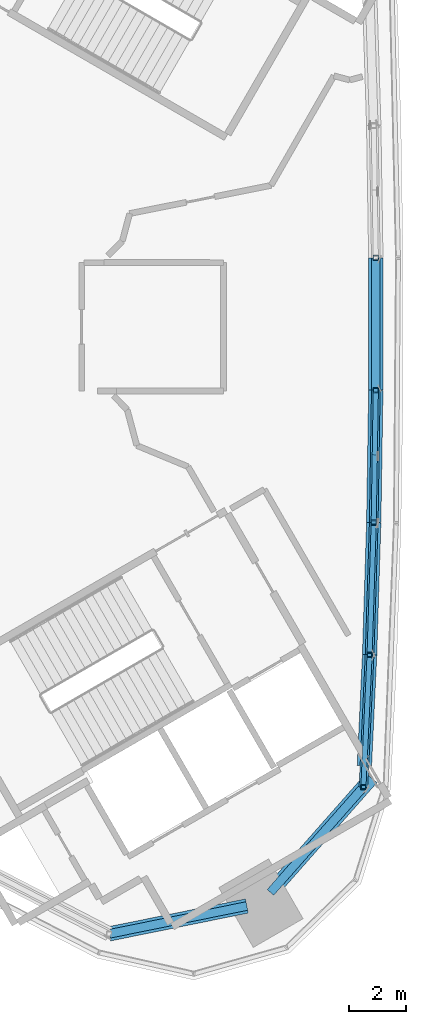
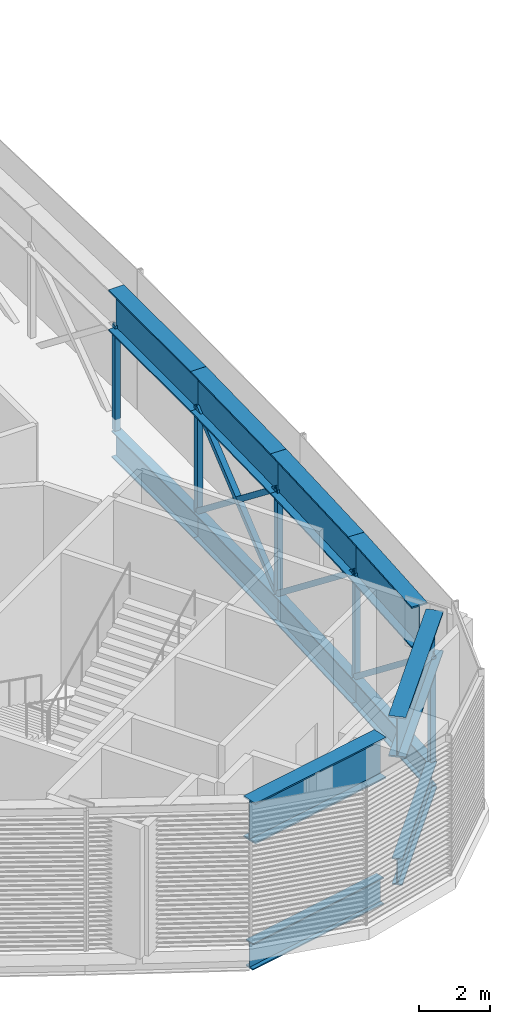
# One storey, part 5 of 21: 12 beams, 10 members.
"""IFC4 building model written with IfcOpenShell, lengths in metres."""

from ifc_helpers import new_model, si_unit, direction, frame, origin, origin_2d, place, context, subcontext, project, spatial, hollow_rectangle, i_section, extrude, material, material_profile, profile_set, type_object, element, save


model = new_model("IFC4")

# Units and contexts
model_context = context("Model", 3, precision=1e-05, world=origin(), true_north=direction((0.0, 1.0)))
body_context = subcontext(model_context, "Body", "Model", "MODEL_VIEW")
ifc_project = project(units=[si_unit("LENGTHUNIT", "METRE"), si_unit("AREAUNIT", "SQUARE_METRE"), si_unit("VOLUMEUNIT", "CUBIC_METRE"), si_unit("PLANEANGLEUNIT", "RADIAN"), si_unit("MASSUNIT", "GRAM", prefix="KILO")], contexts=[model_context])

# Site, building, storey
site_placement = place(None, origin())
site = spatial("IfcSite", under=ifc_project, at=site_placement, CompositionType="ELEMENT")
building_placement = place(site_placement, origin())
building = spatial("IfcBuilding", under=site, at=building_placement, Name="Tamra Quay Hotel Tower", CompositionType="ELEMENT")
storey_placement = place(building_placement, frame((0.0, 0.0, 301.800048828125)))
storey = spatial("IfcBuildingStorey", under=building, at=storey_placement, Name="L76", CompositionType="ELEMENT", Elevation=301.800048828125)

# Members
ifc_material = material(Name="Structural steel IS 2062 E350", Category="steel")
ifc_material_profile_1 = material_profile(ifc_material, hollow_rectangle(XDim=0.179931640625, YDim=0.179931640625, WallThickness=0.008056640625, at=origin_2d()), Name="SHS 180x180x8")
ifc_profile_set_1 = profile_set([ifc_material_profile_1], Name="Structural steel IS 2062 E350")
member_type = type_object("IfcMemberType", Name="BELT BRACE SHS 180x180x8 Z6", PredefinedType="BRACE", material=ifc_profile_set_1)
member_1_placement = place(storey_placement, frame((15.202392578125, -16.116943359375, -0.400146484375), z_axis=(0.0, 0.0, 1.0), x_axis=(1.0, 0.0, 0.0)))
element("IfcMember", 1, at=member_1_placement, inside=storey, type_object=member_type, Name="BR-L76-000", PredefinedType="BRACE", context=body_context, shape_type="SweptSolid", body=[
    extrude(hollow_rectangle(XDim=0.179931640625, YDim=0.179931640625, WallThickness=0.008056640625, at=origin_2d()), origin(), (0.0, 0.0, 1.0), 3.60009765625),
])
member_2_placement = place(storey_placement, frame((15.418212890625, -11.51513671875, -0.400146484375), z_axis=(-0.036913181228, -0.787077548606, 0.615748609037), x_axis=(0.998902050925, -0.04684754698, 0.0)))
element("IfcMember", 2, at=member_2_placement, inside=storey, type_object=member_type, Name="BR-L76-001", PredefinedType="BRACE", context=body_context, shape_type="SweptSolid", body=[
    extrude(hollow_rectangle(XDim=0.179931640625, YDim=0.179931640625, WallThickness=0.008056640625, at=origin_2d()), origin(), (0.0, 0.0, 1.0), 5.8466796875),
])
member_3_placement = place(storey_placement, frame((15.418212890625, -11.51513671875, -0.400146484375), z_axis=(0.0, 0.0, 1.0), x_axis=(1.0, 0.0, 0.0)))
element("IfcMember", 3, at=member_3_placement, inside=storey, type_object=member_type, Name="BR-L76-002", PredefinedType="BRACE", context=body_context, shape_type="SweptSolid", body=[
    extrude(hollow_rectangle(XDim=0.179931640625, YDim=0.179931640625, WallThickness=0.008056640625, at=origin_2d()), origin(), (0.0, 0.0, 1.0), 3.60009765625),
])
member_4_placement = place(storey_placement, frame((15.56201171875, -6.909912109375, -0.400146484375), z_axis=(-0.024592865307, -0.787597993697, 0.615698458095), x_axis=(0.999512851213, -0.03120993847, 0.0)))
element("IfcMember", 4, at=member_4_placement, inside=storey, type_object=member_type, Name="BR-L76-003", PredefinedType="BRACE", context=body_context, shape_type="SweptSolid", body=[
    extrude(hollow_rectangle(XDim=0.179931640625, YDim=0.179931640625, WallThickness=0.008056640625, at=origin_2d()), origin(), (0.0, 0.0, 1.0), 5.84716796875),
])
member_5_placement = place(storey_placement, frame((15.56201171875, -6.909912109375, -0.400146484375), z_axis=(0.0, 0.0, 1.0), x_axis=(1.0, 0.0, 0.0)))
element("IfcMember", 5, at=member_5_placement, inside=storey, type_object=member_type, Name="BR-L76-004", PredefinedType="BRACE", context=body_context, shape_type="SweptSolid", body=[
    extrude(hollow_rectangle(XDim=0.179931640625, YDim=0.179931640625, WallThickness=0.008056640625, at=origin_2d()), origin(), (0.0, 0.0, 1.0), 3.60009765625),
])
member_6_placement = place(storey_placement, frame((15.56201171875, -6.909912109375, -0.400146484375), z_axis=(0.012318074418, 0.78785568857, 0.615736696187), x_axis=(-0.999877796769, 0.01563302682, 0.0)))
element("IfcMember", 6, at=member_6_placement, inside=storey, type_object=member_type, Name="BR-L76-005", PredefinedType="BRACE", context=body_context, shape_type="SweptSolid", body=[
    extrude(hollow_rectangle(XDim=0.179931640625, YDim=0.179931640625, WallThickness=0.008056640625, at=origin_2d()), origin(), (0.0, 0.0, 1.0), 5.846923828125),
])
for number, where, z_axis, x_axis, name in (
    (7, (15.634033203125, -2.303466796875, -0.400146484375), (-0.012276324538, -0.787856093121, 0.615737012358), (0.999878623711, -0.015580046394, 0.0), "BR-L76-006"),
    (8, (15.59814453125, -4.606689453125, 1.39990234375), (-0.012359824235, -0.787855282645, 0.615736378942), (0.999876967022, -0.015686007115, 0.0), "BR-L76-006B"),
):
    element("IfcMember", number, at=place(storey_placement, frame(where, z_axis=z_axis, x_axis=x_axis)), inside=storey, type_object=member_type, Name=name, PredefinedType="BRACE", context=body_context, shape_type="SweptSolid", body=[
        extrude(hollow_rectangle(XDim=0.179931640625, YDim=0.179931640625, WallThickness=0.008056640625, at=origin_2d()), origin(), (0.0, 0.0, 1.0), 2.92333984375),
    ])
for number, where, z_axis, x_axis, name in (
    (9, (15.634033203125, -2.303466796875, -0.400146484375), (0.0, 0.0, 1.0), (1.0, 0.0, 0.0), "BR-L76-007"),
    (10, (15.634033203125, 2.303466796875, -0.400146484375), (0.0, 0.0, 1.0), (1.0, 0.0, 0.0), "BR-L76-008"),
):
    element("IfcMember", number, at=place(storey_placement, frame(where, z_axis=z_axis, x_axis=x_axis)), inside=storey, type_object=member_type, Name=name, PredefinedType="BRACE", context=body_context, shape_type="SweptSolid", body=[
        extrude(hollow_rectangle(XDim=0.179931640625, YDim=0.179931640625, WallThickness=0.008056640625, at=origin_2d()), origin(), (0.0, 0.0, 1.0), 3.60009765625),
    ])

# Beams
ifc_material_profile_2 = material_profile(ifc_material, i_section(OverallWidth=0.302001953125, OverallDepth=0.909912109375, WebThickness=0.027099609375, FlangeThickness=0.0400390625, at=origin_2d()), Name="WPB 900x300x333")
ifc_profile_set_2 = profile_set([ifc_material_profile_2], Name="Structural steel IS 2062 E350")
beam_type_1 = type_object("IfcBeamType", Name="BELT CHORD WPB 900x300x333 Z6", PredefinedType="BEAM", material=ifc_profile_set_2)
beam_1_placement = place(storey_placement, frame((15.202392578125, -16.116943359375, -0.85498046875), z_axis=(0.04684754698, 0.998902050925, 0.0), x_axis=(-0.998902050925, 0.04684754698, 0.0)))
element("IfcBeam", 11, at=beam_1_placement, inside=storey, type_object=beam_type_1, Name="BM-CHB-L76-000", PredefinedType="BEAM", context=body_context, shape_type="SweptSolid", body=[
    extrude(i_section(OverallWidth=0.302001953125, OverallDepth=0.909912109375, WebThickness=0.027099609375, FlangeThickness=0.0400390625, at=origin_2d()), origin(), (0.0, 0.0, 1.0), 4.60693359375),
])
beam_2_placement = place(storey_placement, frame((15.418212890625, -11.51513671875, -0.85498046875), z_axis=(0.03120993847, 0.999512851213, 0.0), x_axis=(-0.999512851213, 0.03120993847, 0.0)))
element("IfcBeam", 12, at=beam_2_placement, inside=storey, type_object=beam_type_1, Name="BM-CHB-L76-001", PredefinedType="BEAM", context=body_context, shape_type="SweptSolid", body=[
    extrude(i_section(OverallWidth=0.302001953125, OverallDepth=0.909912109375, WebThickness=0.027099609375, FlangeThickness=0.0400390625, at=origin_2d()), origin(), (0.0, 0.0, 1.0), 4.607421875),
])
for number, where, z_axis, x_axis, name in (
    (13, (15.56201171875, -6.909912109375, -0.85498046875), (0.01563302682, 0.999877796769, 0.0), (-0.999877796769, 0.01563302682, 0.0), "BM-CHB-L76-002"),
    (14, (15.634033203125, -2.303466796875, -0.85498046875), (0.0, 1.0, 0.0), (-1.0, 0.0, 0.0), "BM-CHB-L76-003"),
):
    element("IfcBeam", number, at=place(storey_placement, frame(where, z_axis=z_axis, x_axis=x_axis)), inside=storey, type_object=beam_type_1, Name=name, PredefinedType="BEAM", context=body_context, shape_type="SweptSolid", body=[
        extrude(i_section(OverallWidth=0.302001953125, OverallDepth=0.909912109375, WebThickness=0.027099609375, FlangeThickness=0.0400390625, at=origin_2d()), origin(), (0.0, 0.0, 1.0), 4.60693359375),
    ])
beam_3_placement = place(storey_placement, frame((6.3564453125, -21.22412109375, -0.85498046875), z_axis=(0.980118808797, 0.198411493224, 0.0), x_axis=(-0.198411493224, 0.980118808797, 0.0)))
element("IfcBeam", 15, at=beam_3_placement, inside=storey, type_object=beam_type_1, Name="BM-CHB-L76-025", PredefinedType="BEAM", context=body_context, shape_type="SweptSolid", body=[
    extrude(i_section(OverallWidth=0.302001953125, OverallDepth=0.909912109375, WebThickness=0.027099609375, FlangeThickness=0.0400390625, at=origin_2d()), origin(), (0.0, 0.0, 1.0), 4.887451171875),
])
beam_4_placement = place(storey_placement, frame((11.96728515625, -19.781005859375, -0.85498046875), z_axis=(0.661864444241, 0.74962354382, 0.0), x_axis=(-0.74962354382, 0.661864444241, 0.0)))
element("IfcBeam", 16, at=beam_4_placement, inside=storey, type_object=beam_type_1, Name="BM-CHB-L76-026", PredefinedType="BEAM", context=body_context, shape_type="SweptSolid", body=[
    extrude(i_section(OverallWidth=0.302001953125, OverallDepth=0.909912109375, WebThickness=0.027099609375, FlangeThickness=0.0400390625, at=origin_2d()), origin(), (0.0, 0.0, 1.0), 4.887939453125),
])
ifc_material_profile_3 = material_profile(ifc_material, i_section(OverallWidth=0.5, OverallDepth=1.39990234375, WebThickness=0.02490234375, FlangeThickness=0.050048828125, at=origin_2d()), Name="WPG 1400x500x25x50")
ifc_profile_set_3 = profile_set([ifc_material_profile_3], Name="Structural steel IS 2062 E350")
beam_type_2 = type_object("IfcBeamType", Name="BELT TOP CHORD WPG 1400x500x25x50 Z6", PredefinedType="USERDEFINED", material=ifc_profile_set_3)
beam_5_placement = place(storey_placement, frame((15.2373046875, -15.3720703125, 3.75), z_axis=(0.046853160188, 0.998901787655, 0.0), x_axis=(-0.998901787655, 0.046853160188, 0.0)))
element("IfcBeam", 17, at=beam_5_placement, inside=storey, type_object=beam_type_2, Name="BM-CHT-L76-000", ObjectType="TRANSFER GIRDER", PredefinedType="USERDEFINED", context=body_context, shape_type="SweptSolid", body=[
    extrude(i_section(OverallWidth=0.5, OverallDepth=1.39990234375, WebThickness=0.02490234375, FlangeThickness=0.050048828125, at=origin_2d()), origin(), (0.0, 0.0, 1.0), 3.861083984375),
])
beam_6_placement = place(storey_placement, frame((15.418212890625, -11.51513671875, 3.75), z_axis=(0.03120993847, 0.999512851213, 0.0), x_axis=(-0.999512851213, 0.03120993847, 0.0)))
element("IfcBeam", 18, at=beam_6_placement, inside=storey, type_object=beam_type_2, Name="BM-CHT-L76-001", ObjectType="TRANSFER GIRDER", PredefinedType="USERDEFINED", context=body_context, shape_type="SweptSolid", body=[
    extrude(i_section(OverallWidth=0.5, OverallDepth=1.39990234375, WebThickness=0.02490234375, FlangeThickness=0.050048828125, at=origin_2d()), origin(), (0.0, 0.0, 1.0), 4.607421875),
])
for number, where, z_axis, x_axis, name in (
    (19, (15.56201171875, -6.909912109375, 3.75), (0.01563302682, 0.999877796769, 0.0), (-0.999877796769, 0.01563302682, 0.0), "BM-CHT-L76-002"),
    (20, (15.634033203125, -2.303466796875, 3.75), (0.0, 1.0, 0.0), (-1.0, 0.0, 0.0), "BM-CHT-L76-003"),
):
    element("IfcBeam", number, at=place(storey_placement, frame(where, z_axis=z_axis, x_axis=x_axis)), inside=storey, type_object=beam_type_2, Name=name, ObjectType="TRANSFER GIRDER", PredefinedType="USERDEFINED", context=body_context, shape_type="SweptSolid", body=[
        extrude(i_section(OverallWidth=0.5, OverallDepth=1.39990234375, WebThickness=0.02490234375, FlangeThickness=0.050048828125, at=origin_2d()), origin(), (0.0, 0.0, 1.0), 4.60693359375),
    ])
beam_7_placement = place(storey_placement, frame((6.3564453125, -21.22412109375, 3.75), z_axis=(0.980118808797, 0.198411493224, 0.0), x_axis=(-0.198411493224, 0.980118808797, 0.0)))
element("IfcBeam", 21, at=beam_7_placement, inside=storey, type_object=beam_type_2, Name="BM-CHT-L76-025", ObjectType="TRANSFER GIRDER", PredefinedType="USERDEFINED", context=body_context, shape_type="SweptSolid", body=[
    extrude(i_section(OverallWidth=0.5, OverallDepth=1.39990234375, WebThickness=0.02490234375, FlangeThickness=0.050048828125, at=origin_2d()), origin(), (0.0, 0.0, 1.0), 4.887451171875),
])
beam_8_placement = place(storey_placement, frame((11.96728515625, -19.781005859375, 3.75), z_axis=(0.661881499088, 0.749608485254, 0.0), x_axis=(-0.749608485254, 0.661881499088, 0.0)))
element("IfcBeam", 22, at=beam_8_placement, inside=storey, type_object=beam_type_2, Name="BM-CHT-L76-026", ObjectType="TRANSFER GIRDER", PredefinedType="USERDEFINED", context=body_context, shape_type="SweptSolid", body=[
    extrude(i_section(OverallWidth=0.5, OverallDepth=1.39990234375, WebThickness=0.02490234375, FlangeThickness=0.050048828125, at=origin_2d()), origin(), (0.0, 0.0, 1.0), 5.312744140625),
])

save(model, "model.ifc")
